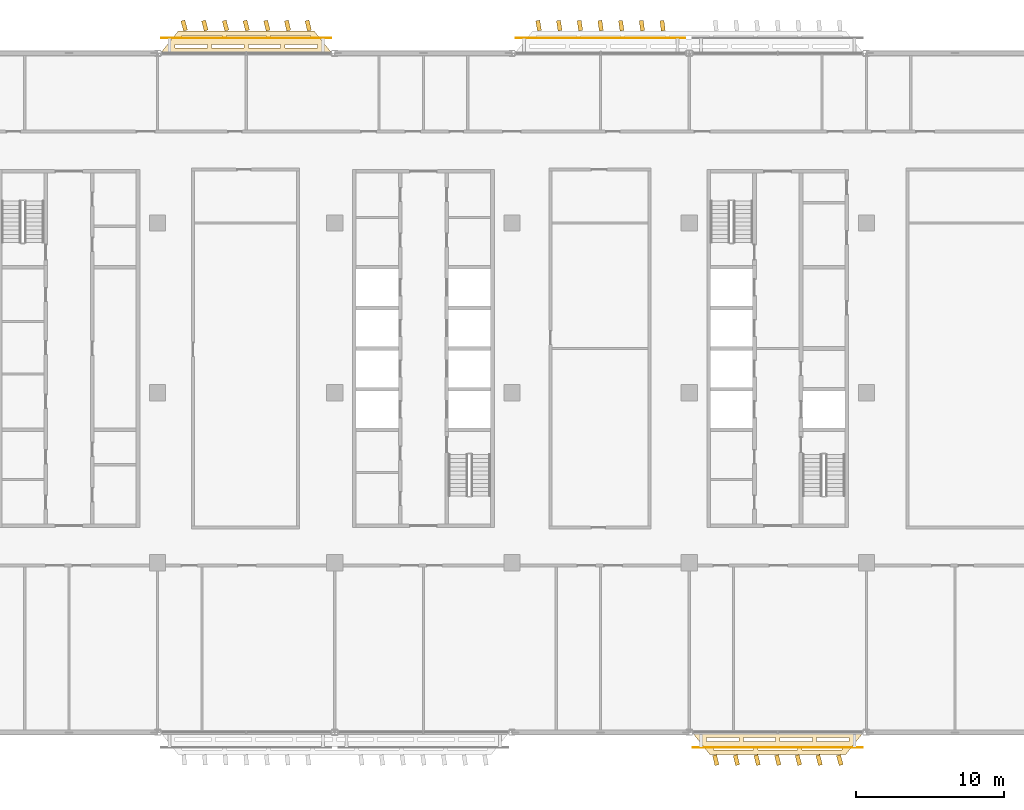
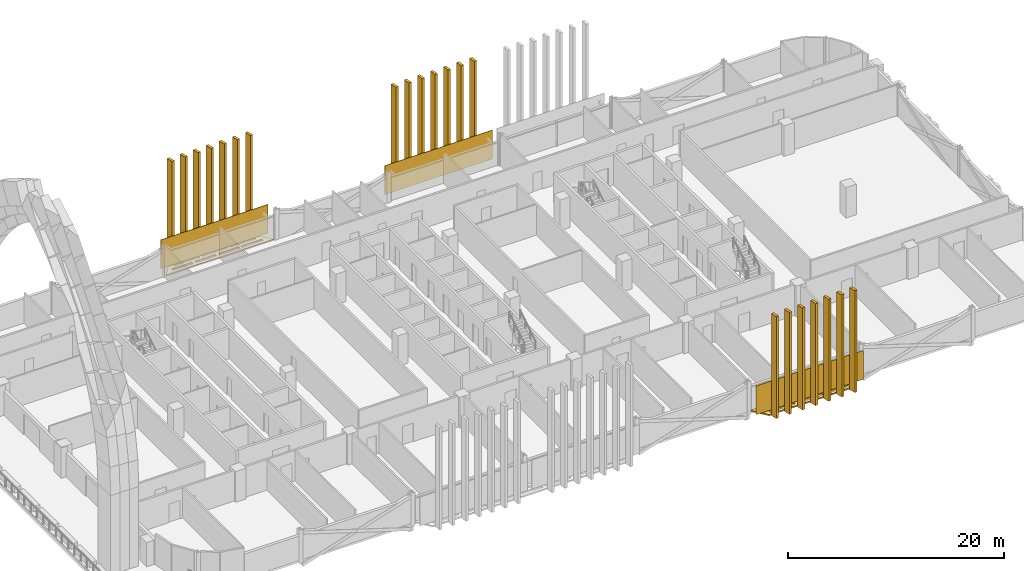
# One storey, part 25 of 28: 26 coverings.
"""IFC4 building model written with IfcOpenShell, lengths in metres."""

import ifcopenshell
import ifcopenshell.guid

model = None  # the IFC model being written
_history = None  # IfcOwnerHistory: only IFC2X3 demands one
_inside = {}  # id of a spatial element -> (the spatial element, [elements in it])
_under = {}  # id of a project, library or spatial element -> (it, [spatial elements below it])
_declared = {}  # id of a project -> (the project, [libraries it declares])
_typed = {}  # id of a type object -> (the type object, [elements of that type])
_made_of = {}  # id of a material, layer set ... -> (it, [elements and type objects made of it])


def new_model(schema):
    """Start an empty IFC model of exactly this schema.

    Asked for "IFC4X3", IfcOpenShell would pick the latest addendum, in which some entities
    have other attributes; the version numbers below select the first issue.
    IFC2X3 requires an IfcOwnerHistory on every rooted entity: one is made here for all.
    """
    global model, _history
    if schema == "IFC4X3":
        model = ifcopenshell.file(schema_version=(4, 3, 0, 0))
    else:
        model = ifcopenshell.file(schema=schema)
    _inside.clear()
    _under.clear()
    _declared.clear()
    _typed.clear()
    _made_of.clear()
    _history = None
    if model.schema == "IFC2X3":
        org = make("IfcOrganization", Name="unknown")
        user = make(
            "IfcPersonAndOrganization",
            ThePerson=make("IfcPerson", FamilyName="unknown"),
            TheOrganization=org,
        )
        app = make(
            "IfcApplication",
            ApplicationDeveloper=org,
            Version="unknown",
            ApplicationFullName="unknown",
            ApplicationIdentifier="unknown",
        )
        _history = make(
            "IfcOwnerHistory",
            OwningUser=user,
            OwningApplication=app,
            ChangeAction="ADDED",
            CreationDate=0,
        )
    return model


def make(cls, **values):
    """One entity of the class cls with the attributes given. An attribute that is None is left unset."""
    return model.create_entity(
        cls, **{name: value for name, value in values.items() if value is not None}
    )


def rooted(cls, **values):
    """An entity with a GlobalId (a new one), such as an element, a storey or a relation."""
    return make(cls, GlobalId=ifcopenshell.guid.new(), OwnerHistory=_history, **values)


def si_unit(unit_type, name, prefix=None):
    """IfcSIUnit, for example si_unit("LENGTHUNIT", "METRE", prefix="MILLI")."""
    return make("IfcSIUnit", UnitType=unit_type, Prefix=prefix, Name=name)


def assignment(units):
    """IfcUnitAssignment: the units of a project."""
    return None if units is None else make("IfcUnitAssignment", Units=units)


def point(xyz):
    """IfcCartesianPoint."""
    return None if xyz is None else make("IfcCartesianPoint", Coordinates=xyz)


def direction(xyz):
    """IfcDirection."""
    return None if xyz is None else make("IfcDirection", DirectionRatios=xyz)


def frame(location, z_axis=None, x_axis=None):
    """IfcAxis2Placement3D, a coordinate frame: its origin and axes. An axis left out is left unset."""
    return make(
        "IfcAxis2Placement3D",
        Location=point(location),
        Axis=direction(z_axis),
        RefDirection=direction(x_axis),
    )


def frame_2d(location, x_axis=None):
    """IfcAxis2Placement2D, a coordinate frame in the plane: its origin and x axis."""
    return make(
        "IfcAxis2Placement2D", Location=point(location), RefDirection=direction(x_axis)
    )


def origin():
    """The frame at (0, 0, 0) with its axes left unset."""
    return frame((0.0, 0.0, 0.0))


def origin_2d():
    """The frame at (0, 0) in the plane with its x axis left unset."""
    return frame_2d((0.0, 0.0))


def place(relative_to, where):
    """IfcLocalPlacement: puts the frame where relative to a parent placement (None: the world)."""
    return make(
        "IfcLocalPlacement", PlacementRelTo=relative_to, RelativePlacement=where
    )


def context(
    kind, dimensions, precision=None, world=None, true_north=None, identifier=None
):
    """IfcGeometricRepresentationContext, for example the 3D "Model" context."""
    return make(
        "IfcGeometricRepresentationContext",
        ContextIdentifier=identifier,
        ContextType=kind,
        CoordinateSpaceDimension=dimensions,
        Precision=precision,
        WorldCoordinateSystem=world,
        TrueNorth=true_north,
    )


def subcontext(parent, identifier, kind, view, scale=None):
    """IfcGeometricRepresentationSubContext, for example "Body" below "Model"."""
    return make(
        "IfcGeometricRepresentationSubContext",
        ContextIdentifier=identifier,
        ContextType=kind,
        ParentContext=parent,
        TargetScale=scale,
        TargetView=view,
    )


def project(units=None, contexts=None):
    """IfcProject with its units and contexts."""
    return rooted(
        "IfcProject",
        Name="project",
        RepresentationContexts=contexts,
        UnitsInContext=assignment(units),
    )


def spatial(cls, under=None, at=None, **own):
    """A site, building, storey or space (cls), placed at a placement, below another one or the project."""
    s = rooted(cls, ObjectPlacement=at, **own)
    if under is not None:
        _under.setdefault(under.id(), (under, []))[1].append(s)
    return s


def polyline(points):
    """IfcPolyline through the points."""
    return make("IfcPolyline", Points=[point(p) for p in points])


def profile(cls, at=None, kind="AREA", **sizes):
    """A parametric profile (cls). Its sizes go by their IFC names, for example OverallWidth=200.0."""
    return make(cls, ProfileType=kind, Position=at, **sizes)


def rectangle(**sizes):
    """IfcRectangleProfileDef."""
    return profile("IfcRectangleProfileDef", **sizes)


def outline(outer, holes=None, kind="AREA"):
    """IfcArbitraryClosedProfileDef: a profile drawn as a closed curve; with holes, ...WithVoids."""
    if holes is None:
        return make("IfcArbitraryClosedProfileDef", ProfileType=kind, OuterCurve=outer)
    return make(
        "IfcArbitraryProfileDefWithVoids",
        ProfileType=kind,
        OuterCurve=outer,
        InnerCurves=holes,
    )


def extrude(swept, where, along, depth):
    """IfcExtrudedAreaSolid: the profile swept, set in the frame where, extruded along a direction by depth."""
    return make(
        "IfcExtrudedAreaSolid",
        SweptArea=swept,
        Position=where,
        ExtrudedDirection=direction(along),
        Depth=depth,
    )


def shape(context_of_items, identifier, shape_type, items):
    """IfcShapeRepresentation: the items that make up one representation, for example the "Body"."""
    return make(
        "IfcShapeRepresentation",
        ContextOfItems=context_of_items,
        RepresentationIdentifier=identifier,
        RepresentationType=shape_type,
        Items=items,
    )


def material(Name=None, Category=None):
    """IfcMaterial."""
    return make("IfcMaterial", Name=Name, Category=Category)


def layer(
    of_material, thickness, ventilated=None, Name=None, Category=None, Priority=None
):
    """IfcMaterialLayer: one layer of a wall or slab, of a material (None: an air gap)."""
    return make(
        "IfcMaterialLayer",
        Material=of_material,
        LayerThickness=thickness,
        IsVentilated=ventilated,
        Name=Name,
        Category=Category,
        Priority=Priority,
    )


def layer_set(layers, Name=None):
    """IfcMaterialLayerSet."""
    return make("IfcMaterialLayerSet", MaterialLayers=layers, LayerSetName=Name)


def made_of(thing, what):
    """Note that an element or type object is made of a material, layer set ...; save() writes the relation."""
    if what is not None:
        _made_of.setdefault(what.id(), (what, []))[1].append(thing)
    return thing


def type_object(cls, material=None, **own):
    """A type object (cls), such as IfcWallType, which elements share."""
    return made_of(rooted(cls, **own), material)


def element(
    cls,
    number,
    at=None,
    inside=None,
    cuts=None,
    type_object=None,
    material=None,
    context=None,
    identifier="Body",
    shape_type=None,
    held_by="IfcProductDefinitionShape",
    body=None,
    shapes=None,
    **own,
):
    """One element of the class cls, such as IfcWall. Its Tag is "e" and its number.

    at: its placement. inside: the storey or other place that contains it. cuts: it is an
    opening in that element (IfcRelVoidsElement). A single representation is given by context,
    identifier, shape_type and body (its items); several are given by shapes. held_by: the class
    of the entity that holds the representations. save() writes the other relations.
    """
    e = rooted(cls, Tag="e%d" % number, ObjectPlacement=at, **own)
    if body is not None:
        shapes = [shape(context, identifier, shape_type, body)]
    if shapes is not None:
        e.Representation = make(held_by, Representations=shapes)
    if inside is not None:
        _inside.setdefault(inside.id(), (inside, []))[1].append(e)
    if cuts is not None:
        rooted(
            "IfcRelVoidsElement", RelatingBuildingElement=cuts, RelatedOpeningElement=e
        )
    if type_object is not None:
        _typed.setdefault(type_object.id(), (type_object, []))[1].append(e)
    return made_of(e, material)


def aggregate(whole, parts):
    """IfcRelAggregates: a whole, such as a stair, and the parts it consists of."""
    return rooted("IfcRelAggregates", RelatingObject=whole, RelatedObjects=parts)


def save(model, path):
    """Write the relations noted so far, then the file.

    IfcRelAggregates (storeys below a building ...), IfcRelContainedInSpatialStructure (elements
    in a storey), IfcRelDefinesByType, IfcRelAssociatesMaterial and IfcRelDeclares: one each for
    every whole, place, type object, material and project.
    """
    for whole, parts in _under.values():
        aggregate(whole, parts)
    for where, things in _inside.values():
        rooted(
            "IfcRelContainedInSpatialStructure",
            RelatedElements=things,
            RelatingStructure=where,
        )
    for kind, things in _typed.values():
        rooted("IfcRelDefinesByType", RelatedObjects=things, RelatingType=kind)
    for what, things in _made_of.values():
        rooted("IfcRelAssociatesMaterial", RelatedObjects=things, RelatingMaterial=what)
    for by, libraries in _declared.values():
        rooted("IfcRelDeclares", RelatingContext=by, RelatedDefinitions=libraries)
    model.write(path)


model = new_model("IFC4")

# Units and contexts
model_context = context("Model", 3, precision=1e-05, world=origin(), true_north=direction((0.0, 1.0)))
body_context = subcontext(model_context, "Body", "Model", "MODEL_VIEW")
ifc_project = project(units=[si_unit("LENGTHUNIT", "METRE"), si_unit("AREAUNIT", "SQUARE_METRE"), si_unit("VOLUMEUNIT", "CUBIC_METRE"), si_unit("PLANEANGLEUNIT", "RADIAN"), si_unit("MASSUNIT", "GRAM", prefix="KILO")], contexts=[model_context])

# Site, building, storey
site_placement = place(None, origin())
site = spatial("IfcSite", under=ifc_project, at=site_placement, CompositionType="ELEMENT")
building_placement = place(site_placement, origin())
building = spatial("IfcBuilding", under=site, at=building_placement, Name="Mahtab Terrace Research Tower", CompositionType="ELEMENT")
storey_placement = place(building_placement, frame((0.0, 0.0, 193.89990234375)))
storey = spatial("IfcBuildingStorey", under=building, at=storey_placement, Name="L46", CompositionType="ELEMENT", Elevation=193.89990234375)

# Coverings
ifc_material_1 = material(Name="Black anodised aluminium", Category="aluminium")
ifc_layer_1 = layer(ifc_material_1, 0.14990234375)
ifc_layer_set_1 = layer_set([ifc_layer_1], Name="Horizontal sunshade band")
covering_type_1 = type_object("IfcCoveringType", Name="Horizontal sunshade band", PredefinedType="CLADDING", material=ifc_layer_set_1)
covering_1_placement = place(storey_placement, frame((0.0, 0.0, -0.14990234375)))
element("IfcCovering", 1, at=covering_1_placement, inside=storey, type_object=covering_type_1, Name="Sunshade band L46 8", PredefinedType="CLADDING", context=body_context, shape_type="SweptSolid", body=[
    extrude(outline(polyline([(-6.199951171875, 23.0), (-17.800048828125, 23.0), (-16.60009765625, 24.5), (-7.39990234375, 24.5), (-6.199951171875, 23.0)]), holes=[polyline([(-7.179931640625, 23.35009765625), (-9.364990234375, 23.35009765625), (-9.364990234375, 23.60009765625), (-7.179931640625, 23.60009765625), (-7.179931640625, 23.35009765625)]), polyline([(-9.6650390625, 23.35009765625), (-11.85009765625, 23.35009765625), (-11.85009765625, 23.60009765625), (-9.6650390625, 23.60009765625), (-9.6650390625, 23.35009765625)]), polyline([(-12.14990234375, 23.35009765625), (-14.3349609375, 23.35009765625), (-14.3349609375, 23.60009765625), (-12.14990234375, 23.60009765625), (-12.14990234375, 23.35009765625)]), polyline([(-14.635009765625, 23.35009765625), (-16.820068359375, 23.35009765625), (-16.820068359375, 23.60009765625), (-14.635009765625, 23.60009765625), (-14.635009765625, 23.35009765625)]), polyline([(-7.659912109375, 23.949951171875), (-10.35302734375, 23.949951171875), (-10.35302734375, 24.199951171875), (-7.659912109375, 24.199951171875), (-7.659912109375, 23.949951171875)]), polyline([(-10.653076171875, 23.949951171875), (-13.346923828125, 23.949951171875), (-13.346923828125, 24.199951171875), (-10.653076171875, 24.199951171875), (-10.653076171875, 23.949951171875)]), polyline([(-13.64697265625, 23.949951171875), (-16.340087890625, 23.949951171875), (-16.340087890625, 24.199951171875), (-13.64697265625, 24.199951171875), (-13.64697265625, 23.949951171875)])]), origin(), (0.0, 0.0, 1.0), 0.14990234375),
])
covering_2_placement = place(storey_placement, frame((0.0, 0.0, -0.14990234375)))
element("IfcCovering", 2, at=covering_2_placement, inside=storey, type_object=covering_type_1, Name="Sunshade band L46 28", PredefinedType="CLADDING", context=body_context, shape_type="SweptSolid", body=[
    extrude(outline(polyline([(18.199951171875, -23.0), (29.800048828125, -23.0), (28.60009765625, -24.5), (19.39990234375, -24.5), (18.199951171875, -23.0)]), holes=[polyline([(19.179931640625, -23.35009765625), (21.364990234375, -23.35009765625), (21.364990234375, -23.60009765625), (19.179931640625, -23.60009765625), (19.179931640625, -23.35009765625)]), polyline([(21.6650390625, -23.35009765625), (23.85009765625, -23.35009765625), (23.85009765625, -23.60009765625), (21.6650390625, -23.60009765625), (21.6650390625, -23.35009765625)]), polyline([(24.14990234375, -23.35009765625), (26.3349609375, -23.35009765625), (26.3349609375, -23.60009765625), (24.14990234375, -23.60009765625), (24.14990234375, -23.35009765625)]), polyline([(26.635009765625, -23.35009765625), (28.820068359375, -23.35009765625), (28.820068359375, -23.60009765625), (26.635009765625, -23.60009765625), (26.635009765625, -23.35009765625)]), polyline([(19.659912109375, -23.949951171875), (22.35302734375, -23.949951171875), (22.35302734375, -24.199951171875), (19.659912109375, -24.199951171875), (19.659912109375, -23.949951171875)]), polyline([(22.653076171875, -23.949951171875), (25.346923828125, -23.949951171875), (25.346923828125, -24.199951171875), (22.653076171875, -24.199951171875), (22.653076171875, -23.949951171875)]), polyline([(25.64697265625, -23.949951171875), (28.340087890625, -23.949951171875), (28.340087890625, -24.199951171875), (25.64697265625, -24.199951171875), (25.64697265625, -23.949951171875)])]), origin(), (0.0, 0.0, 1.0), 0.14990234375),
])
ifc_material_2 = material(Name="Bronze anodised aluminium", Category="aluminium")
ifc_layer_2 = layer(ifc_material_2, 0.050048828125)
ifc_layer_set_2 = layer_set([ifc_layer_2], Name="Sky lounge girih screen panel")
covering_type_2 = type_object("IfcCoveringType", Name="Sky lounge girih screen panel", PredefinedType="CLADDING", material=ifc_layer_set_2)
for number, where, z_axis, x_axis, name in (
    (3, (12.0, 24.02490234375, 0.10009765625), (0.0, 0.0, 1.0), (-1.0, 0.0, 0.0), "Girih screen L46 N7"),
    (4, (-12.0, 24.02490234375, 0.10009765625), (0.0, 0.0, 1.0), (-1.0, 0.0, 0.0), "Girih screen L46 N9"),
    (5, (24.0, -24.02490234375, 0.10009765625), (0.0, 0.0, 1.0), (1.0, 0.0, 0.0), "Girih screen L46 S29"),
):
    element("IfcCovering", number, at=place(storey_placement, frame(where, z_axis=z_axis, x_axis=x_axis)), inside=storey, type_object=covering_type_2, Name=name, PredefinedType="CLADDING", context=body_context, shape_type="SweptSolid", body=[
        extrude(rectangle(XDim=11.5, YDim=0.050048828125, at=origin_2d()), origin(), (0.0, 0.0, 1.0), 3.260009765625),
    ])
ifc_layer_3 = layer(ifc_material_2, 0.1201171875)
ifc_layer_set_3 = layer_set([ifc_layer_3], Name="Vertical fin 700")
covering_type_3 = type_object("IfcCoveringType", Name="Vertical fin 700", PredefinedType="CLADDING", material=ifc_layer_set_3)
for number, where, z_axis, x_axis, name in (
    (6, (16.199951171875, 24.865478515625, -0.14990234375), (0.0, 0.0, 1.0), (-0.991281368707, -0.131762088833, 0.0), "Fin L46 N1"),
    (7, (14.800048828125, 24.865966796875, -0.14990234375), (0.0, 0.0, 1.0), (-0.990498036675, -0.137526867716, 0.0), "Fin L46 N2"),
    (8, (13.39990234375, 24.866455078125, -0.14990234375), (0.0, 0.0, 1.0), (-0.989681179966, -0.143286991809, 0.0), "Fin L46 N3"),
    (9, (12.0, 24.866943359375, -0.14990234375), (0.0, 0.0, 1.0), (-0.988830826226, -0.149042266169, 0.0), "Fin L46 N4"),
    (10, (10.60009765625, 24.867431640625, -0.14990234375), (0.0, 0.0, 1.0), (-0.987947004235, -0.154792496019, 0.0), "Fin L46 N5"),
    (11, (9.199951171875, 24.867919921875, -0.14990234375), (0.0, 0.0, 1.0), (-0.98702974391, -0.160537486702, 0.0), "Fin L46 N6"),
    (12, (7.800048828125, 24.868408203125, -0.14990234375), (0.0, 0.0, 1.0), (-0.986079076296, -0.166277043787, 0.0), "Fin L46 N7"),
    (13, (-7.800048828125, 24.872802734375, -0.14990234375), (0.0, 0.0, 1.0), (-0.973236201459, -0.22980708468, 0.0), "Fin L46 N1"),
    (14, (-9.199951171875, 24.873046875, -0.14990234375), (0.0, 0.0, 1.0), (-0.971882775364, -0.235465222381, 0.0), "Fin L46 N2"),
    (15, (-10.60009765625, 24.87353515625, -0.14990234375), (0.0, 0.0, 1.0), (-0.970496454648, -0.24111539046, 0.0), "Fin L46 N3"),
    (16, (-12.0, 24.873779296875, -0.14990234375), (0.0, 0.0, 1.0), (-0.969077286228, -0.246757397695, 0.0), "Fin L46 N4"),
    (17, (-13.39990234375, 24.8740234375, -0.14990234375), (0.0, 0.0, 1.0), (-0.967625318147, -0.252391053092, 0.0), "Fin L46 N5"),
    (18, (-14.800048828125, 24.874267578125, -0.14990234375), (0.0, 0.0, 1.0), (-0.966140599544, -0.25801616599, 0.0), "Fin L46 N6"),
    (19, (-16.199951171875, 24.87451171875, -0.14990234375), (0.0, 0.0, 1.0), (-0.964623180667, -0.263632546017, 0.0), "Fin L46 N7"),
    (20, (19.800048828125, -24.872802734375, -0.14990234375), (0.0, 0.0, 1.0), (0.973236201459, 0.22980708468, 0.0), "Fin L46 S1"),
    (21, (21.199951171875, -24.873046875, -0.14990234375), (0.0, 0.0, 1.0), (0.971882775364, 0.235465222381, 0.0), "Fin L46 S2"),
    (22, (22.60009765625, -24.87353515625, -0.14990234375), (0.0, 0.0, 1.0), (0.970496454648, 0.24111539046, 0.0), "Fin L46 S3"),
    (23, (24.0, -24.873779296875, -0.14990234375), (0.0, 0.0, 1.0), (0.969077286228, 0.246757397695, 0.0), "Fin L46 S4"),
    (24, (25.39990234375, -24.8740234375, -0.14990234375), (0.0, 0.0, 1.0), (0.967625318147, 0.252391053092, 0.0), "Fin L46 S5"),
    (25, (26.800048828125, -24.874267578125, -0.14990234375), (0.0, 0.0, 1.0), (0.966140599544, 0.25801616599, 0.0), "Fin L46 S6"),
    (26, (28.199951171875, -24.87451171875, -0.14990234375), (0.0, 0.0, 1.0), (0.964623180667, 0.263632546017, 0.0), "Fin L46 S7"),
):
    element("IfcCovering", number, at=place(storey_placement, frame(where, z_axis=z_axis, x_axis=x_axis)), inside=storey, type_object=covering_type_3, Name=name, PredefinedType="CLADDING", context=body_context, shape_type="SweptSolid", body=[
        extrude(rectangle(XDim=0.280029296875, YDim=0.699951171875, at=origin_2d()), origin(), (0.0, 0.0, 1.0), 11.550048828125),
    ])

save(model, "model.ifc")
